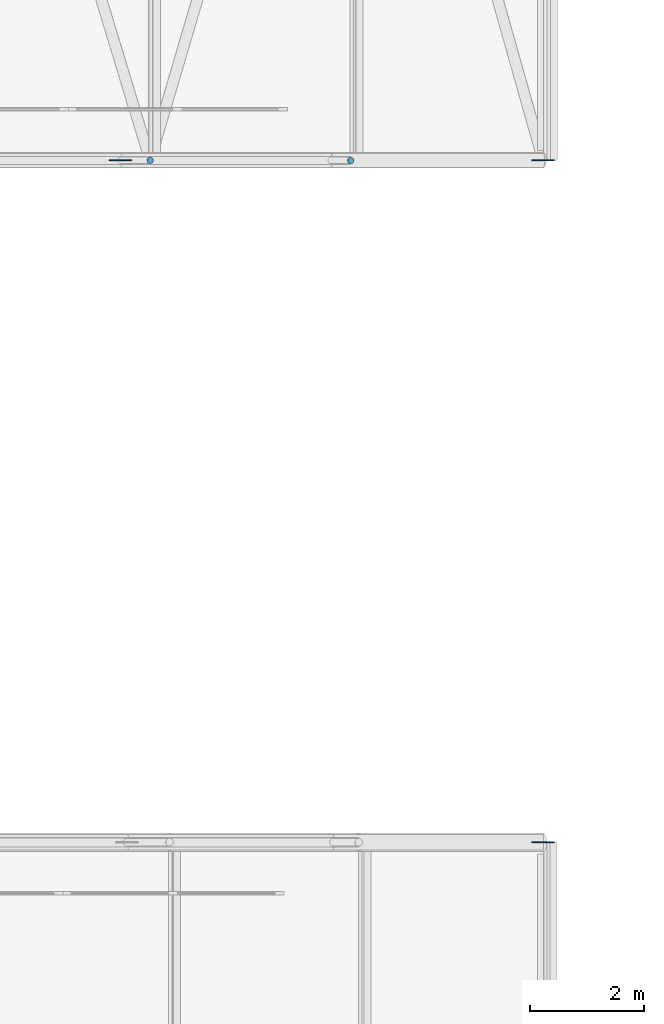
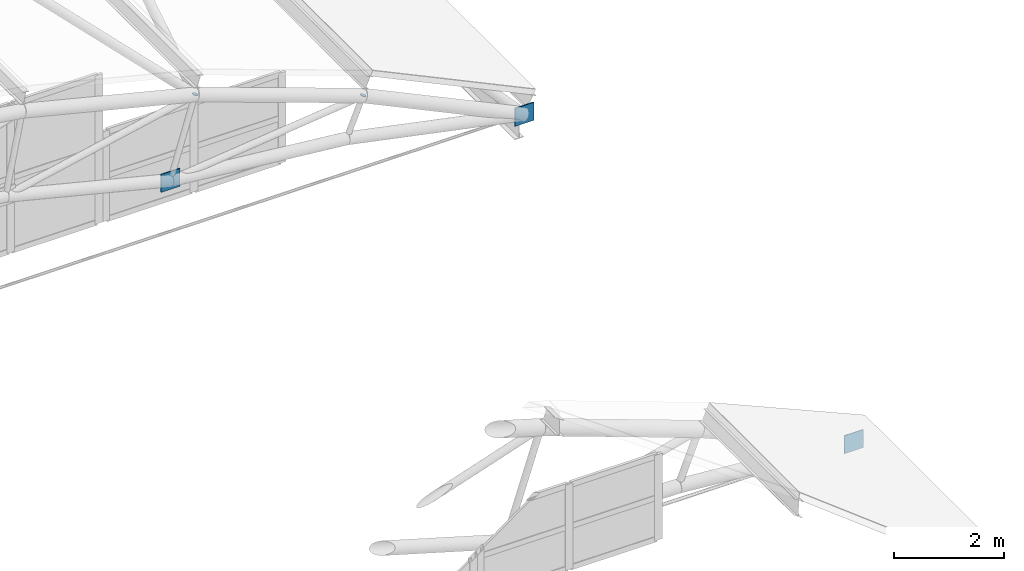
# One storey, part 293 of 321: 5 discrete accessories.
"""IFC4 building model written with IfcOpenShell, lengths in metres."""

from ifc_helpers import new_model, si_unit, direction, frame, origin, origin_2d, place, context, subcontext, project, spatial, rectangle, circle, extrude, material, material_profile, profile_set, type_object, element, save


model = new_model("IFC4")

# Units and contexts
model_context = context("Model", 3, precision=1e-05, world=origin(), true_north=direction((0.0, 1.0)))
body_context = subcontext(model_context, "Body", "Model", "MODEL_VIEW")
ifc_project = project(units=[si_unit("LENGTHUNIT", "METRE"), si_unit("AREAUNIT", "SQUARE_METRE"), si_unit("VOLUMEUNIT", "CUBIC_METRE"), si_unit("PLANEANGLEUNIT", "RADIAN"), si_unit("MASSUNIT", "GRAM", prefix="KILO")], contexts=[model_context])

# Site, building, storey
site_placement = place(None, origin())
site = spatial("IfcSite", under=ifc_project, at=site_placement, CompositionType="ELEMENT")
building_placement = place(site_placement, origin())
building = spatial("IfcBuilding", under=site, at=building_placement, Name="Ravi Spectrum Wholesale Market", CompositionType="ELEMENT")
storey_placement = place(building_placement, frame((0.0, 0.0, 10.800048828125)))
storey = spatial("IfcBuildingStorey", under=building, at=storey_placement, Name="L02", CompositionType="ELEMENT", Elevation=10.800048828125)

# Discrete accessories
ifc_material_1 = material(Name="Steel S355", Category="steel")
ifc_material_profile_1 = material_profile(ifc_material_1, circle(Radius=0.05712890625, at=origin_2d()))
ifc_profile_set_1 = profile_set([ifc_material_profile_1], Name="Steel S355")
discrete_accessory_type_1 = type_object("IfcDiscreteAccessoryType", Name="End plate CHS 114.3x4", PredefinedType="BRACKET", material=ifc_profile_set_1)
discrete_accessory_1_placement = place(storey_placement, frame((191.083251953125, 138.0, 2.859130859375), z_axis=(0.2854765866, 0.0, 0.958385683586), x_axis=(0.0, 1.0, 0.0)))
element("IfcDiscreteAccessory", 1, at=discrete_accessory_1_placement, inside=storey, type_object=discrete_accessory_type_1, Name="End plate", PredefinedType="BRACKET", context=body_context, shape_type="SweptSolid", body=[
    extrude(circle(Radius=0.05712890625, at=origin_2d()), origin(), (0.0, 0.0, 1.0), 0.011962890625),
])
discrete_accessory_2_placement = place(storey_placement, frame((194.61181640625, 138.0, 1.59912109375), z_axis=(0.371390676354, 0.0, 0.928476690885), x_axis=(0.0, 1.0, 0.0)))
element("IfcDiscreteAccessory", 2, at=discrete_accessory_2_placement, inside=storey, type_object=discrete_accessory_type_1, Name="End plate", PredefinedType="BRACKET", context=body_context, shape_type="SweptSolid", body=[
    extrude(circle(Radius=0.05712890625, at=origin_2d()), origin(), (0.0, 0.0, 1.0), 0.01171875),
])
ifc_material_2 = material(Name="Steel S355", Category="steel")
ifc_material_profile_2 = material_profile(ifc_material_2, rectangle(XDim=0.39990234375, YDim=0.02001953125, at=origin_2d()))
ifc_profile_set_2 = profile_set([ifc_material_profile_2], Name="Steel S355")
discrete_accessory_type_2 = type_object("IfcDiscreteAccessoryType", Name="Gusset plate 400x400x20", PredefinedType="BRACKET", material=ifc_profile_set_2)
for number, where, z_axis, x_axis, name in (
    (3, (190.561767578125, 138.0, 0.936279296875), (0.0, 0.0, 1.0), (-1.0, 0.0, 0.0), "Gusset plate"),
    (4, (198.0, 126.0, -0.199951171875), (0.0, 0.0, 1.0), (1.0, 0.0, 0.0), "Gusset plate"),
    (5, (198.0, 138.0, -0.199951171875), (0.0, 0.0, 1.0), (1.0, 0.0, 0.0), "Gusset plate"),
):
    element("IfcDiscreteAccessory", number, at=place(storey_placement, frame(where, z_axis=z_axis, x_axis=x_axis)), inside=storey, type_object=discrete_accessory_type_2, Name=name, PredefinedType="BRACKET", context=body_context, shape_type="SweptSolid", body=[
        extrude(rectangle(XDim=0.39990234375, YDim=0.02001953125, at=origin_2d()), origin(), (0.0, 0.0, 1.0), 0.39990234375),
    ])

save(model, "model.ifc")
